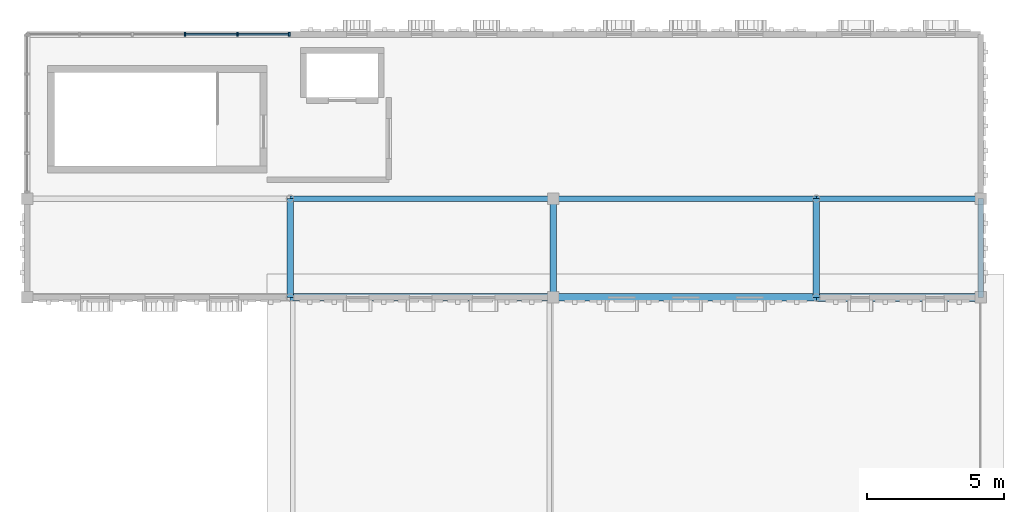
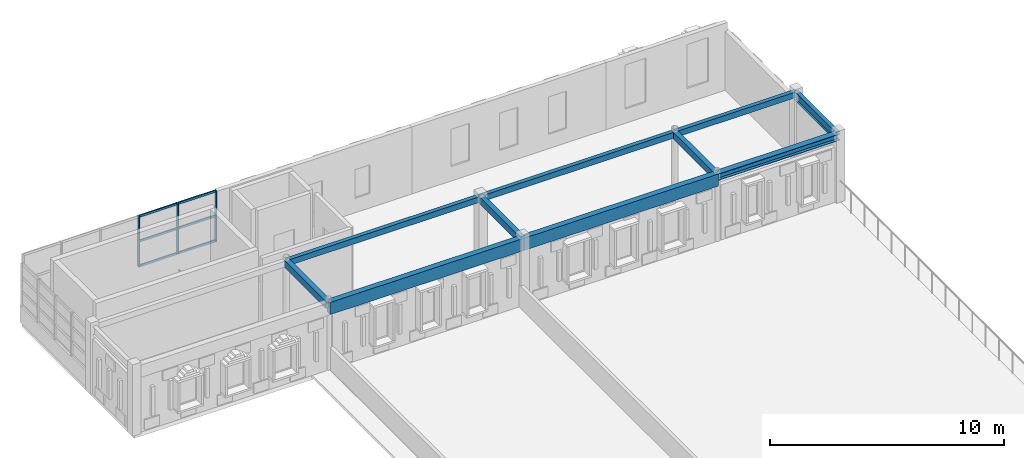
# One storey, part 11 of 25: 10 beams, 9 members, 1 element without a shape of its own.
"""IFC4 building model written with IfcOpenShell, lengths in metres."""

from ifc_helpers import new_model, si_unit, direction, frame, origin, origin_2d, place, context, subcontext, project, spatial, rectangle, hollow_rectangle, i_section, extrude, material, material_profile, profile_set, type_object, element, aggregate, save


model = new_model("IFC4")

# Units and contexts
model_context = context("Model", 3, precision=1e-05, world=origin(), true_north=direction((0.0, 1.0)))
body_context = subcontext(model_context, "Body", "Model", "MODEL_VIEW")
ifc_project = project(units=[si_unit("LENGTHUNIT", "METRE"), si_unit("AREAUNIT", "SQUARE_METRE"), si_unit("VOLUMEUNIT", "CUBIC_METRE"), si_unit("PLANEANGLEUNIT", "RADIAN"), si_unit("MASSUNIT", "GRAM", prefix="KILO")], contexts=[model_context])

# Site, building, storey
site_placement = place(None, origin())
site = spatial("IfcSite", under=ifc_project, at=site_placement, CompositionType="ELEMENT")
building_placement = place(site_placement, origin())
building = spatial("IfcBuilding", under=site, at=building_placement, Name="Nzembalo Square Collegiate School", CompositionType="ELEMENT")
storey_placement = place(building_placement, frame((0.0, 0.0, 21.080078125)))
storey = spatial("IfcBuildingStorey", under=building, at=storey_placement, Name="L05", CompositionType="ELEMENT", Elevation=21.080078125)

# Beams
ifc_material_1 = material(Name="Glulam GL32h", Category="wood")
ifc_material_profile_1 = material_profile(ifc_material_1, rectangle(XDim=0.280029296875, YDim=0.639892578125, at=origin_2d()), Name="GL32h 280x640")
ifc_profile_set_1 = profile_set([ifc_material_profile_1], Name="Glulam GL32h")
beam_type_1 = type_object("IfcBeamType", Name="B04", PredefinedType="BEAM", material=ifc_profile_set_1)
for number, where, z_axis, x_axis, name in (
    (1, (140.39990234375, 79.199951171875, 3.2099609375), (1.0, 0.0, 0.0), (0.0, 1.0, 0.0), "Beam B04 L05"),
    (2, (150.0, 79.199951171875, 3.2099609375), (1.0, 0.0, 0.0), (0.0, 1.0, 0.0), "Beam B04 L05"),
):
    element("IfcBeam", number, at=place(storey_placement, frame(where, z_axis=z_axis, x_axis=x_axis)), inside=storey, type_object=beam_type_1, Name=name, PredefinedType="BEAM", context=body_context, shape_type="SweptSolid", body=[
        extrude(rectangle(XDim=0.280029296875, YDim=0.639892578125, at=origin_2d()), origin(), (0.0, 0.0, 1.0), 9.60009765625),
    ])
ifc_material_2 = material(Name="Steel S355", Category="steel")
ifc_material_profile_2 = material_profile(ifc_material_2, i_section(OverallWidth=0.18994140625, OverallDepth=0.449951171875, WebThickness=0.009521484375, FlangeThickness=0.0146484375, at=origin_2d()), Name="IPE 450")
ifc_profile_set_2 = profile_set([ifc_material_profile_2], Name="Steel S355")
beam_type_2 = type_object("IfcBeamType", Name="B09", PredefinedType="BEAM", material=ifc_profile_set_2)
beam_1_placement = place(storey_placement, frame((165.60009765625, 79.199951171875, 3.304931640625), z_axis=(0.0, 1.0, 0.0), x_axis=(-1.0, 0.0, 0.0)))
element("IfcBeam", 3, at=beam_1_placement, inside=storey, type_object=beam_type_2, Name="Beam B09 L05", PredefinedType="BEAM", context=body_context, shape_type="SweptSolid", body=[
    extrude(i_section(OverallWidth=0.18994140625, OverallDepth=0.449951171875, WebThickness=0.009521484375, FlangeThickness=0.0146484375, at=origin_2d()), origin(), (0.0, 0.0, 1.0), 3.60009765625),
])
ifc_material_3 = material(Name="Steel S355", Category="steel")
ifc_material_profile_3 = material_profile(ifc_material_3, i_section(OverallWidth=0.300048828125, OverallDepth=0.340087890625, WebThickness=0.011962890625, FlangeThickness=0.021484375, at=origin_2d()), Name="HEB 340")
ifc_profile_set_3 = profile_set([ifc_material_profile_3], Name="Steel S355")
beam_type_3 = type_object("IfcBeamType", Name="B11", PredefinedType="BEAM", material=ifc_profile_set_3)
beam_2_placement = place(storey_placement, frame((159.60009765625, 79.199951171875, 3.35986328125), z_axis=(1.0, 0.0, 0.0), x_axis=(0.0, 1.0, 0.0)))
element("IfcBeam", 4, at=beam_2_placement, inside=storey, type_object=beam_type_3, Name="Beam B11 L05", PredefinedType="BEAM", context=body_context, shape_type="SweptSolid", body=[
    extrude(i_section(OverallWidth=0.300048828125, OverallDepth=0.340087890625, WebThickness=0.011962890625, FlangeThickness=0.021484375, at=origin_2d()), origin(), (0.0, 0.0, 1.0), 6.0),
])
ifc_material_4 = material(Name="Glulam GL32h", Category="wood")
ifc_material_profile_4 = material_profile(ifc_material_4, rectangle(XDim=0.239990234375, YDim=0.360107421875, at=origin_2d()), Name="GL32h 240x360")
ifc_profile_set_4 = profile_set([ifc_material_profile_4], Name="Glulam GL32h")
beam_type_4 = type_object("IfcBeamType", Name="B15", PredefinedType="BEAM", material=ifc_profile_set_4)
for number, where, z_axis, x_axis, name in (
    (5, (140.39990234375, 79.199951171875, 3.349853515625), (0.0, 1.0, 0.0), (-1.0, 0.0, 0.0), "Beam B15 L05"),
    (6, (150.0, 79.199951171875, 3.349853515625), (0.0, 1.0, 0.0), (-1.0, 0.0, 0.0), "Beam B15 L05"),
    (7, (159.60009765625, 79.199951171875, 3.349853515625), (0.0, 1.0, 0.0), (-1.0, 0.0, 0.0), "Beam B15 L05"),
):
    element("IfcBeam", number, at=place(storey_placement, frame(where, z_axis=z_axis, x_axis=x_axis)), inside=storey, type_object=beam_type_4, Name=name, PredefinedType="BEAM", context=body_context, shape_type="SweptSolid", body=[
        extrude(rectangle(XDim=0.239990234375, YDim=0.360107421875, at=origin_2d()), origin(), (0.0, 0.0, 1.0), 3.60009765625),
    ])
ifc_material_5 = material(Name="Steel S355", Category="steel")
ifc_material_profile_5 = material_profile(ifc_material_5, hollow_rectangle(XDim=0.199951171875, YDim=0.300048828125, WallThickness=0.011962890625, at=origin_2d()), Name="RHS 300x200x12")
ifc_profile_set_5 = profile_set([ifc_material_profile_5], Name="Steel S355")
beam_type_5 = type_object("IfcBeamType", Name="SP03", PredefinedType="SPANDREL", material=ifc_profile_set_5)
for number, where, z_axis, x_axis, name in (
    (8, (140.39990234375, 82.800048828125, 3.3798828125), (1.0, 0.0, 0.0), (0.0, 1.0, 0.0), "Beam SP03 L05"),
    (9, (150.0, 82.800048828125, 3.3798828125), (1.0, 0.0, 0.0), (0.0, 1.0, 0.0), "Beam SP03 L05"),
):
    element("IfcBeam", number, at=place(storey_placement, frame(where, z_axis=z_axis, x_axis=x_axis)), inside=storey, type_object=beam_type_5, Name=name, PredefinedType="SPANDREL", context=body_context, shape_type="SweptSolid", body=[
        extrude(hollow_rectangle(XDim=0.199951171875, YDim=0.300048828125, WallThickness=0.011962890625, at=origin_2d()), origin(), (0.0, 0.0, 1.0), 9.60009765625),
    ])
beam_3_placement = place(storey_placement, frame((159.60009765625, 82.800048828125, 3.3798828125), z_axis=(1.0, 0.0, 0.0), x_axis=(0.0, 1.0, 0.0)))
element("IfcBeam", 10, at=beam_3_placement, inside=storey, type_object=beam_type_5, Name="Beam SP03 L05", PredefinedType="SPANDREL", context=body_context, shape_type="SweptSolid", body=[
    extrude(hollow_rectangle(XDim=0.199951171875, YDim=0.300048828125, WallThickness=0.011962890625, at=origin_2d()), origin(), (0.0, 0.0, 1.0), 6.0),
])

# Curtain wall, members
ifc_material_6 = material(Name="Aluminium 6060-T66", Category="aluminium")
curtain_wall_type = type_object("IfcCurtainWallType", Name="CW-11", PredefinedType="USERDEFINED", material=ifc_material_6)
curtain_wall_placement = place(storey_placement, origin())
curtain_wall = element("IfcCurtainWall", 11, at=curtain_wall_placement, inside=storey, type_object=curtain_wall_type, Name="Curtain wall CW-11 cw:L05:162", ObjectType="LANCET", PredefinedType="USERDEFINED")
ifc_material_7 = material(Name="Aluminium 6060-T66", Category="aluminium")
ifc_material_profile_6 = material_profile(ifc_material_7, rectangle(XDim=0.06005859375, YDim=0.14990234375, at=origin_2d()), Name="ALU M60x150")
ifc_profile_set_6 = profile_set([ifc_material_profile_6], Name="Aluminium 6060-T66")
member_type_1 = type_object("IfcMemberType", Name="ML02", PredefinedType="MULLION", material=ifc_profile_set_6)
member_1_placement = place(storey_placement, frame((136.56005859375, 88.800048828125, 0.849853515625), z_axis=(0.0, 0.0, 1.0), x_axis=(1.0, 0.0, 0.0)))
member_1 = element("IfcMember", 12, at=member_1_placement, type_object=member_type_1, Name="ML02 mullion 4", PredefinedType="MULLION", context=body_context, shape_type="SweptSolid", body=[
    extrude(rectangle(XDim=0.06005859375, YDim=0.14990234375, at=origin_2d()), origin(), (0.0, 0.0, 1.0), 2.654052734375),
])
member_2_placement = place(storey_placement, frame((138.47998046875, 88.800048828125, 0.849853515625), z_axis=(0.0, 0.0, 1.0), x_axis=(1.0, 0.0, 0.0)))
member_2 = element("IfcMember", 13, at=member_2_placement, type_object=member_type_1, Name="ML02 mullion 5", PredefinedType="MULLION", context=body_context, shape_type="SweptSolid", body=[
    extrude(rectangle(XDim=0.06005859375, YDim=0.14990234375, at=origin_2d()), origin(), (0.0, 0.0, 1.0), 2.654052734375),
])
member_3_placement = place(storey_placement, frame((140.3701171875, 88.800048828125, 0.849853515625), z_axis=(0.0, 0.0, 1.0), x_axis=(1.0, 0.0, 0.0)))
member_3 = element("IfcMember", 14, at=member_3_placement, type_object=member_type_1, Name="ML02 mullion 6", PredefinedType="MULLION", context=body_context, shape_type="SweptSolid", body=[
    extrude(rectangle(XDim=0.06005859375, YDim=0.14990234375, at=origin_2d()), origin(), (0.0, 0.0, 1.0), 2.654052734375),
])
ifc_material_8 = material(Name="Aluminium 6060-T66", Category="aluminium")
ifc_material_profile_7 = material_profile(ifc_material_8, rectangle(XDim=0.06005859375, YDim=0.110107421875, at=origin_2d()), Name="ALU T60x110")
ifc_profile_set_7 = profile_set([ifc_material_profile_7], Name="Aluminium 6060-T66")
member_type_2 = type_object("IfcMemberType", Name="TR02", PredefinedType="USERDEFINED", material=ifc_profile_set_7)
member_4_placement = place(storey_placement, frame((136.590087890625, 88.800048828125, 0.8798828125), z_axis=(1.0, 0.0, 0.0), x_axis=(0.0, 1.0, 0.0)))
member_4 = element("IfcMember", 15, at=member_4_placement, type_object=member_type_2, Name="TR02 transom 1-4", ObjectType="TRANSOM", PredefinedType="USERDEFINED", context=body_context, shape_type="SweptSolid", body=[
    extrude(rectangle(XDim=0.06005859375, YDim=0.110107421875, at=origin_2d()), origin(), (0.0, 0.0, 1.0), 1.85986328125),
])
member_5_placement = place(storey_placement, frame((138.510009765625, 88.800048828125, 0.8798828125), z_axis=(1.0, 0.0, 0.0), x_axis=(0.0, 1.0, 0.0)))
member_5 = element("IfcMember", 16, at=member_5_placement, type_object=member_type_2, Name="TR02 transom 1-5", ObjectType="TRANSOM", PredefinedType="USERDEFINED", context=body_context, shape_type="SweptSolid", body=[
    extrude(rectangle(XDim=0.06005859375, YDim=0.110107421875, at=origin_2d()), origin(), (0.0, 0.0, 1.0), 1.830078125),
])
member_6_placement = place(storey_placement, frame((136.590087890625, 88.800048828125, 2.177001953125), z_axis=(1.0, 0.0, 0.0), x_axis=(0.0, 1.0, 0.0)))
member_6 = element("IfcMember", 17, at=member_6_placement, type_object=member_type_2, Name="TR02 transom 2-4", ObjectType="TRANSOM", PredefinedType="USERDEFINED", context=body_context, shape_type="SweptSolid", body=[
    extrude(rectangle(XDim=0.06005859375, YDim=0.110107421875, at=origin_2d()), origin(), (0.0, 0.0, 1.0), 1.85986328125),
])
member_7_placement = place(storey_placement, frame((138.510009765625, 88.800048828125, 2.177001953125), z_axis=(1.0, 0.0, 0.0), x_axis=(0.0, 1.0, 0.0)))
member_7 = element("IfcMember", 18, at=member_7_placement, type_object=member_type_2, Name="TR02 transom 2-5", ObjectType="TRANSOM", PredefinedType="USERDEFINED", context=body_context, shape_type="SweptSolid", body=[
    extrude(rectangle(XDim=0.06005859375, YDim=0.110107421875, at=origin_2d()), origin(), (0.0, 0.0, 1.0), 1.830078125),
])
member_8_placement = place(storey_placement, frame((136.590087890625, 88.800048828125, 3.473876953125), z_axis=(1.0, 0.0, 0.0), x_axis=(0.0, 1.0, 0.0)))
member_8 = element("IfcMember", 19, at=member_8_placement, type_object=member_type_2, Name="TR02 transom 3-4", ObjectType="TRANSOM", PredefinedType="USERDEFINED", context=body_context, shape_type="SweptSolid", body=[
    extrude(rectangle(XDim=0.06005859375, YDim=0.110107421875, at=origin_2d()), origin(), (0.0, 0.0, 1.0), 1.85986328125),
])
member_9_placement = place(storey_placement, frame((138.510009765625, 88.800048828125, 3.473876953125), z_axis=(1.0, 0.0, 0.0), x_axis=(0.0, 1.0, 0.0)))
member_9 = element("IfcMember", 20, at=member_9_placement, type_object=member_type_2, Name="TR02 transom 3-5", ObjectType="TRANSOM", PredefinedType="USERDEFINED", context=body_context, shape_type="SweptSolid", body=[
    extrude(rectangle(XDim=0.06005859375, YDim=0.110107421875, at=origin_2d()), origin(), (0.0, 0.0, 1.0), 1.830078125),
])
aggregate(curtain_wall, [member_1, member_2, member_3, member_4, member_5, member_6, member_7, member_8, member_9])

save(model, "model.ifc")
